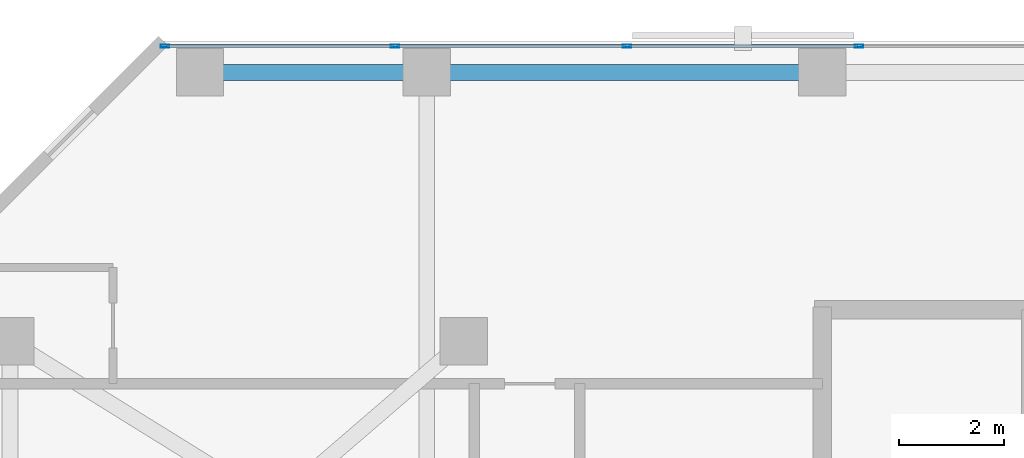
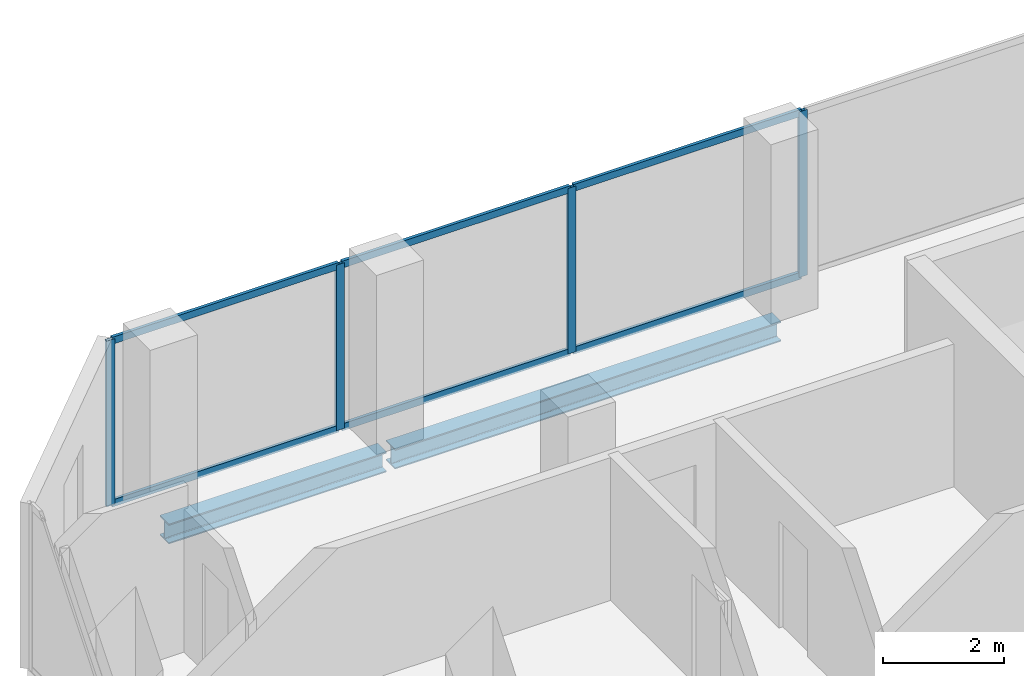
# One storey, part 19 of 33: 10 members, 2 beams, 1 element without a shape of its own.
"""IFC4 building model written with IfcOpenShell, lengths in metres."""

from ifc_helpers import new_model, si_unit, direction, frame, origin, origin_2d, place, context, subcontext, project, spatial, hollow_rectangle, i_section, extrude, material, layer, layer_set, material_profile, profile_set, type_object, element, aggregate, save


model = new_model("IFC4")

# Units and contexts
model_context = context("Model", 3, precision=1e-05, world=origin(), true_north=direction((0.0, 1.0)))
body_context = subcontext(model_context, "Body", "Model", "MODEL_VIEW")
ifc_project = project(units=[si_unit("LENGTHUNIT", "METRE"), si_unit("AREAUNIT", "SQUARE_METRE"), si_unit("VOLUMEUNIT", "CUBIC_METRE"), si_unit("PLANEANGLEUNIT", "RADIAN"), si_unit("MASSUNIT", "GRAM", prefix="KILO")], contexts=[model_context])

# Site, building, storey
site_placement = place(None, origin())
site = spatial("IfcSite", under=ifc_project, at=site_placement, CompositionType="ELEMENT")
building_placement = place(site_placement, origin())
building = spatial("IfcBuilding", under=site, at=building_placement, Name="Catumbela Crestline Tower", CompositionType="ELEMENT")
storey_placement = place(building_placement, frame((0.0, 0.0, 100.8)))
storey = spatial("IfcBuildingStorey", under=building, at=storey_placement, Name="L25", CompositionType="ELEMENT", Elevation=100.8)

# Curtain wall, members
ifc_material_1 = material(Name="Aluminium alloy AW-6060-T66", Category="aluminium")
ifc_layer = layer(ifc_material_1, 0.18, Name="Aluminium alloy AW-6060-T66")
ifc_layer_set = layer_set([ifc_layer], Name="Aluminium alloy AW-6060-T66")
curtain_wall_type = type_object("IfcCurtainWallType", Name="CWU-Z2", PredefinedType="USERDEFINED", material=ifc_layer_set)
curtain_wall_placement = place(storey_placement, origin())
curtain_wall = element("IfcCurtainWall", 1, at=curtain_wall_placement, inside=storey, type_object=curtain_wall_type, Name="L25 Unitised Curtain Wall CW-L25-E7S1", ObjectType="UNITISED", PredefinedType="USERDEFINED")
ifc_material_profile_1 = material_profile(ifc_material_1, hollow_rectangle(XDim=0.06, YDim=0.16, WallThickness=0.004, at=origin_2d()), Name="ALU 160x60x4")
ifc_profile_set_1 = profile_set([ifc_material_profile_1], Name="Aluminium alloy AW-6060-T66")
member_type_1 = type_object("IfcMemberType", Name="MUL-160X60", PredefinedType="MULLION", material=ifc_profile_set_1)
member_1_placement = place(storey_placement, frame((16.7, 47.9, 0.0), z_axis=(0.0, 0.0, 1.0), x_axis=(0.0, -1.0, 0.0)))
member_1 = element("IfcMember", 2, at=member_1_placement, type_object=member_type_1, Name="CWU-Z2 mullion 8", PredefinedType="MULLION", context=body_context, shape_type="SweptSolid", body=[
    extrude(hollow_rectangle(XDim=0.06, YDim=0.16, WallThickness=0.004, at=origin_2d()), origin(), (0.0, 0.0, 1.0), 3.33),
])
member_2_placement = place(storey_placement, frame((12.3, 47.9, 0.0), z_axis=(0.0, 0.0, 1.0), x_axis=(0.0, -1.0, 0.0)))
member_2 = element("IfcMember", 3, at=member_2_placement, type_object=member_type_1, Name="CWU-Z2 mullion 9", PredefinedType="MULLION", context=body_context, shape_type="SweptSolid", body=[
    extrude(hollow_rectangle(XDim=0.06, YDim=0.16, WallThickness=0.004, at=origin_2d()), origin(), (0.0, 0.0, 1.0), 3.33),
])
member_3_placement = place(storey_placement, frame((7.9, 47.9, 0.0), z_axis=(0.0, 0.0, 1.0), x_axis=(0.0, -1.0, 0.0)))
member_3 = element("IfcMember", 4, at=member_3_placement, type_object=member_type_1, Name="CWU-Z2 mullion 10", PredefinedType="MULLION", context=body_context, shape_type="SweptSolid", body=[
    extrude(hollow_rectangle(XDim=0.06, YDim=0.16, WallThickness=0.004, at=origin_2d()), origin(), (0.0, 0.0, 1.0), 3.33),
])
member_4_placement = place(storey_placement, frame((3.5325, 47.9, 0.0), z_axis=(0.0, 0.0, 1.0), x_axis=(0.0, -1.0, 0.0)))
member_4 = element("IfcMember", 5, at=member_4_placement, type_object=member_type_1, Name="CWU-Z2 mullion 11", PredefinedType="MULLION", context=body_context, shape_type="SweptSolid", body=[
    extrude(hollow_rectangle(XDim=0.06, YDim=0.16, WallThickness=0.004, at=origin_2d()), origin(), (0.0, 0.0, 1.0), 3.33),
])

# Beams
ifc_material_2 = material(Name="Structural steel S355J2", Category="steel")
ifc_material_profile_2 = material_profile(ifc_material_2, i_section(OverallWidth=0.3, OverallDepth=0.4, WebThickness=0.0135, FlangeThickness=0.024, FilletRadius=0.027, at=origin_2d()), Name="HEB 400")
ifc_profile_set_2 = profile_set([ifc_material_profile_2], Name="Structural steel S355J2")
beam_type = type_object("IfcBeamType", Name="BS-HEB400", PredefinedType="SPANDREL", material=ifc_profile_set_2)
beam_1_placement = place(storey_placement, frame((4.28, 47.4, -0.46), z_axis=(1.0, 0.0, 0.0), x_axis=(0.0, 1.0, 0.0)))
element("IfcBeam", 6, at=beam_1_placement, inside=storey, type_object=beam_type, Name="L25 Spandrel SP-L25-NF17", PredefinedType="SPANDREL", context=body_context, shape_type="SweptSolid", body=[
    extrude(i_section(OverallWidth=0.3, OverallDepth=0.4, WebThickness=0.0135, FlangeThickness=0.024, FilletRadius=0.027, at=origin_2d()), origin(), (0.0, 0.0, 1.0), 4.14),
])
beam_2_placement = place(storey_placement, frame((8.58, 47.4, -0.46), z_axis=(1.0, 0.0, 0.0), x_axis=(0.0, 1.0, 0.0)))
element("IfcBeam", 7, at=beam_2_placement, inside=storey, type_object=beam_type, Name="L25 Spandrel SP-L25-NF18", PredefinedType="SPANDREL", context=body_context, shape_type="SweptSolid", body=[
    extrude(i_section(OverallWidth=0.3, OverallDepth=0.4, WebThickness=0.0135, FlangeThickness=0.024, FilletRadius=0.027, at=origin_2d()), origin(), (0.0, 0.0, 1.0), 7.34),
])

# Member
ifc_material_profile_3 = material_profile(ifc_material_1, hollow_rectangle(XDim=0.06, YDim=0.14, WallThickness=0.004, at=origin_2d()), Name="ALU 140x60x4")
ifc_profile_set_3 = profile_set([ifc_material_profile_3], Name="Aluminium alloy AW-6060-T66")
member_type_2 = type_object("IfcMemberType", Name="TRN-140X60", PredefinedType="USERDEFINED", material=ifc_profile_set_3)
member_5_placement = place(storey_placement, frame((16.6675, 47.9, 0.03), z_axis=(-1.0, 0.0, 0.0), x_axis=(0.0, -1.0, 0.0)))
member_5 = element("IfcMember", 8, at=member_5_placement, type_object=member_type_2, Name="CWU-Z2 transom 8.1", ObjectType="TRANSOM", PredefinedType="USERDEFINED", context=body_context, shape_type="SweptSolid", body=[
    extrude(hollow_rectangle(XDim=0.06, YDim=0.14, WallThickness=0.004, at=origin_2d()), origin(), (0.0, 0.0, 1.0), 4.335),
])

member_6_placement = place(storey_placement, frame((16.6675, 47.9, 3.3), z_axis=(-1.0, 0.0, 0.0), x_axis=(0.0, -1.0, 0.0)))
member_6 = element("IfcMember", 9, at=member_6_placement, type_object=member_type_2, Name="CWU-Z2 transom 8.2", ObjectType="TRANSOM", PredefinedType="USERDEFINED", context=body_context, shape_type="SweptSolid", body=[
    extrude(hollow_rectangle(XDim=0.06, YDim=0.14, WallThickness=0.004, at=origin_2d()), origin(), (0.0, 0.0, 1.0), 4.335),
])

member_7_placement = place(storey_placement, frame((12.2675, 47.9, 0.03), z_axis=(-1.0, 0.0, 0.0), x_axis=(0.0, -1.0, 0.0)))
member_7 = element("IfcMember", 10, at=member_7_placement, type_object=member_type_2, Name="CWU-Z2 transom 9.1", ObjectType="TRANSOM", PredefinedType="USERDEFINED", context=body_context, shape_type="SweptSolid", body=[
    extrude(hollow_rectangle(XDim=0.06, YDim=0.14, WallThickness=0.004, at=origin_2d()), origin(), (0.0, 0.0, 1.0), 4.335),
])

member_8_placement = place(storey_placement, frame((12.2675, 47.9, 3.3), z_axis=(-1.0, 0.0, 0.0), x_axis=(0.0, -1.0, 0.0)))
member_8 = element("IfcMember", 11, at=member_8_placement, type_object=member_type_2, Name="CWU-Z2 transom 9.2", ObjectType="TRANSOM", PredefinedType="USERDEFINED", context=body_context, shape_type="SweptSolid", body=[
    extrude(hollow_rectangle(XDim=0.06, YDim=0.14, WallThickness=0.004, at=origin_2d()), origin(), (0.0, 0.0, 1.0), 4.335),
])

member_9_placement = place(storey_placement, frame((7.8675, 47.9, 0.03), z_axis=(-1.0, 0.0, 0.0), x_axis=(0.0, -1.0, 0.0)))
member_9 = element("IfcMember", 12, at=member_9_placement, type_object=member_type_2, Name="CWU-Z2 transom 10.1", ObjectType="TRANSOM", PredefinedType="USERDEFINED", context=body_context, shape_type="SweptSolid", body=[
    extrude(hollow_rectangle(XDim=0.06, YDim=0.14, WallThickness=0.004, at=origin_2d()), origin(), (0.0, 0.0, 1.0), 4.3025),
])

member_10_placement = place(storey_placement, frame((7.8675, 47.9, 3.3), z_axis=(-1.0, 0.0, 0.0), x_axis=(0.0, -1.0, 0.0)))
member_10 = element("IfcMember", 13, at=member_10_placement, type_object=member_type_2, Name="CWU-Z2 transom 10.2", ObjectType="TRANSOM", PredefinedType="USERDEFINED", context=body_context, shape_type="SweptSolid", body=[
    extrude(hollow_rectangle(XDim=0.06, YDim=0.14, WallThickness=0.004, at=origin_2d()), origin(), (0.0, 0.0, 1.0), 4.3025),
])

aggregate(curtain_wall, [member_1, member_2, member_3, member_4, member_5, member_6, member_7, member_8, member_9, member_10])

save(model, "model.ifc")
